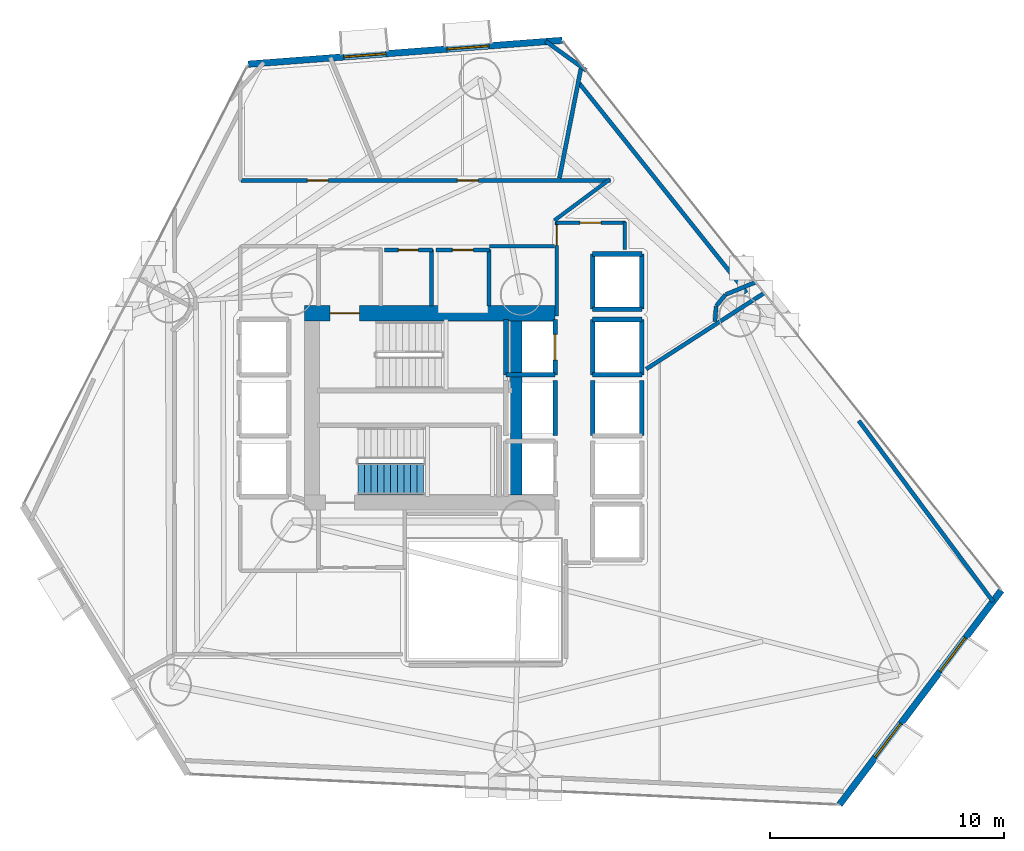
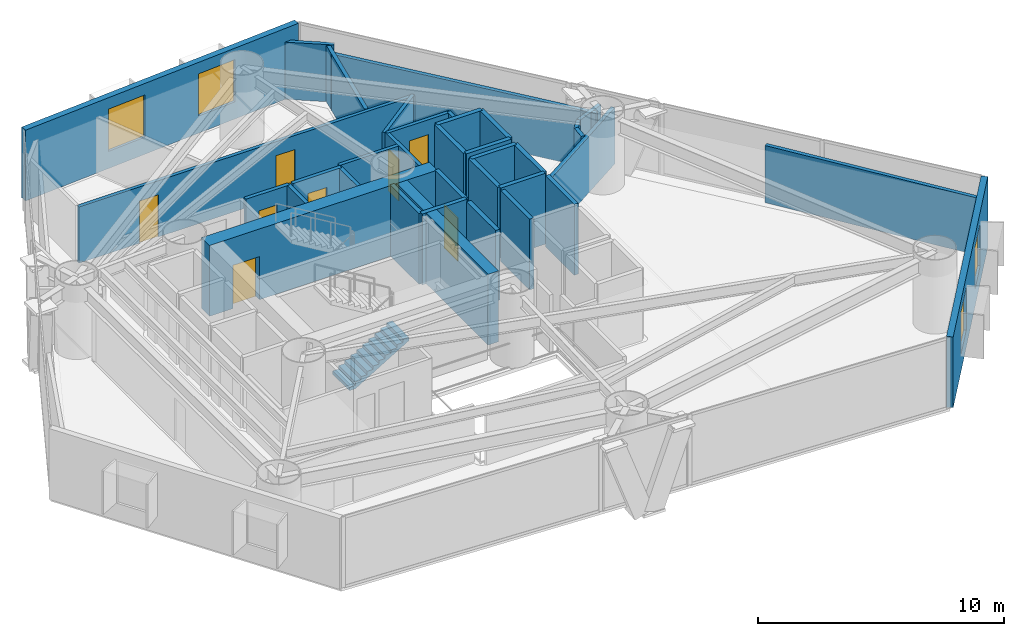
# One storey, part 18 of 23: 36 walls, 8 doors, 4 windows, 1 stair flight, 12 openings, 1 element without a shape of its own.
"""IFC4 building model written with IfcOpenShell, lengths in metres."""

from ifc_helpers import new_model, si_unit, direction, frame, frame_2d, origin, place, context, subcontext, project, spatial, polyline, rectangle, outline, extrude, material, layer, layer_set, type_object, element, fill, aggregate, save


model = new_model("IFC4")

# Units and contexts
model_context = context("Model", 3, precision=1e-05, world=origin(), true_north=direction((0.0, 1.0)))
body_context = subcontext(model_context, "Body", "Model", "MODEL_VIEW")
ifc_project = project(units=[si_unit("LENGTHUNIT", "METRE"), si_unit("AREAUNIT", "SQUARE_METRE"), si_unit("VOLUMEUNIT", "CUBIC_METRE"), si_unit("PLANEANGLEUNIT", "RADIAN"), si_unit("MASSUNIT", "GRAM", prefix="KILO")], contexts=[model_context])

# Site, building, storey
site_placement = place(None, origin())
site = spatial("IfcSite", under=ifc_project, at=site_placement, CompositionType="ELEMENT")
building_placement = place(site_placement, origin())
building = spatial("IfcBuilding", under=site, at=building_placement, Name="Qianvela Tower", CompositionType="ELEMENT")
storey_placement = place(building_placement, frame((0.0, 0.0, 33.10009765625)))
storey = spatial("IfcBuildingStorey", under=building, at=storey_placement, Name="L07", CompositionType="ELEMENT", Elevation=33.10009765625)

# Wall, openings, windows
ifc_material_1 = material(Name="Terracotta Cladding on Concrete C40", Category="masonry")
ifc_layer_1 = layer(ifc_material_1, 0.280029296875)
ifc_layer_set_1 = layer_set([ifc_layer_1], Name="Terracotta Cladding on Concrete C40")
wall_type_1 = type_object("IfcWallType", Name="TERRACOTTA-WALL-280", PredefinedType="SOLIDWALL", material=ifc_layer_set_1)
wall_1_placement = place(storey_placement, frame((51.999267578125, 11.74658203125, 0.0), z_axis=(0.0, 0.0, 1.0), x_axis=(0.602698586695, 0.797968930219, 0.0)))
wall_1 = element("IfcWall", 1, at=wall_1_placement, inside=storey, type_object=wall_type_1, Name="L07 Terracotta Chamfer Facet Wall 1", PredefinedType="SOLIDWALL", context=body_context, shape_type="SweptSolid", body=[
    extrude(rectangle(XDim=11.478759765625, YDim=0.280029296875, at=frame_2d((5.7392578125, 0.0))), origin(), (0.0, 0.0, 1.0), 3.52001953125),
])
opening_1_placement = place(wall_1_placement, frame((2.543701171875, 0.0, 0.85009765625)))
opening_1 = element("IfcOpeningElement", 2, at=opening_1_placement, cuts=wall_1, Name="Opening W-01", PredefinedType="OPENING", context=body_context, shape_type="SweptSolid", body=[
    extrude(rectangle(XDim=1.800048828125, YDim=2.10009765625, at=frame_2d((0.89990234375, 1.050048828125))), frame((0.0, 0.14990234375, 0.0), z_axis=(0.0, -1.0, 0.0), x_axis=(1.0, 0.0, 0.0)), (0.0, 0.0, 1.0), 0.300048828125),
])
opening_2_placement = place(wall_1_placement, frame((7.13525390625, 0.0, 0.85009765625)))
opening_2 = element("IfcOpeningElement", 3, at=opening_2_placement, cuts=wall_1, Name="Opening W-01", PredefinedType="OPENING", context=body_context, shape_type="SweptSolid", body=[
    extrude(rectangle(XDim=1.800048828125, YDim=2.10009765625, at=frame_2d((0.89990234375, 1.050048828125))), frame((0.0, 0.14990234375, 0.0), z_axis=(0.0, -1.0, 0.0), x_axis=(1.0, 0.0, 0.0)), (0.0, 0.0, 1.0), 0.300048828125),
])
ifc_material_2 = material(Name="Thermally Broken Aluminium and Low-E Glass", Category="aluminium")
window_type = type_object("IfcWindowType", Name="WIN-TC-1800x2100", PartitioningType="DOUBLE_PANEL_VERTICAL", PredefinedType="WINDOW", material=ifc_material_2)
window_1_placement = place(opening_1_placement, origin())
window_1 = element("IfcWindow", 4, at=window_1_placement, inside=storey, type_object=window_type, Name="L07 Chamfer Facet Window 1.1", OverallHeight=2.10009765625, OverallWidth=1.800048828125, PartitioningType="SINGLE_PANEL", PredefinedType="WINDOW", context=body_context, shape_type="SweptSolid", body=[
    extrude(rectangle(XDim=1.800048828125, YDim=2.10009765625, at=frame_2d((0.89990234375, 1.050048828125))), frame((0.0, 0.030029296875, 0.0), z_axis=(0.0, -1.0, 0.0), x_axis=(1.0, 0.0, 0.0)), (0.0, 0.0, 1.0), 0.06005859375),
])
fill(opening_1, window_1)
window_2_placement = place(opening_2_placement, origin())
window_2 = element("IfcWindow", 5, at=window_2_placement, inside=storey, type_object=window_type, Name="L07 Chamfer Facet Window 1.2", OverallHeight=2.10009765625, OverallWidth=1.800048828125, PartitioningType="SINGLE_PANEL", PredefinedType="WINDOW", context=body_context, shape_type="SweptSolid", body=[
    extrude(rectangle(XDim=1.800048828125, YDim=2.10009765625, at=frame_2d((0.89990234375, 1.050048828125))), frame((0.0, 0.030029296875, 0.0), z_axis=(0.0, -1.0, 0.0), x_axis=(1.0, 0.0, 0.0)), (0.0, 0.0, 1.0), 0.06005859375),
])
fill(opening_2, window_2)

wall_2_placement = place(storey_placement, frame((40.1474609375, 44.4130859375, 0.0), z_axis=(0.0, 0.0, 1.0), x_axis=(-0.997124396063, -0.07578217981, 0.0)))
wall_2 = element("IfcWall", 6, at=wall_2_placement, inside=storey, type_object=wall_type_1, Name="L07 Terracotta Chamfer Facet Wall 3", PredefinedType="SOLIDWALL", context=body_context, shape_type="SweptSolid", body=[
    extrude(rectangle(XDim=13.45654296875, YDim=0.280029296875, at=frame_2d((6.728271484375, 0.0))), origin(), (0.0, 0.0, 1.0), 3.52001953125),
])
opening_3_placement = place(wall_2_placement, frame((3.136962890625, 0.0, 0.85009765625)))
opening_3 = element("IfcOpeningElement", 7, at=opening_3_placement, cuts=wall_2, Name="Opening W-01", PredefinedType="OPENING", context=body_context, shape_type="SweptSolid", body=[
    extrude(rectangle(XDim=1.800048828125, YDim=2.10009765625, at=frame_2d((0.89990234375, 1.050048828125))), frame((0.0, 0.14990234375, 0.0), z_axis=(0.0, -1.0, 0.0), x_axis=(1.0, 0.0, 0.0)), (0.0, 0.0, 1.0), 0.300048828125),
])
opening_4_placement = place(wall_2_placement, frame((7.559814453125, 0.0, 0.85009765625)))
opening_4 = element("IfcOpeningElement", 8, at=opening_4_placement, cuts=wall_2, Name="Opening W-01", PredefinedType="OPENING", context=body_context, shape_type="SweptSolid", body=[
    extrude(rectangle(XDim=1.800048828125, YDim=2.10009765625, at=frame_2d((0.89990234375, 1.050048828125))), frame((0.0, 0.14990234375, 0.0), z_axis=(0.0, -1.0, 0.0), x_axis=(1.0, 0.0, 0.0)), (0.0, 0.0, 1.0), 0.300048828125),
])
window_3_placement = place(opening_3_placement, origin())
window_3 = element("IfcWindow", 9, at=window_3_placement, inside=storey, type_object=window_type, Name="L07 Chamfer Facet Window 3.1", OverallHeight=2.10009765625, OverallWidth=1.800048828125, PartitioningType="SINGLE_PANEL", PredefinedType="WINDOW", context=body_context, shape_type="SweptSolid", body=[
    extrude(rectangle(XDim=1.800048828125, YDim=2.10009765625, at=frame_2d((0.89990234375, 1.050048828125))), frame((0.0, 0.030029296875, 0.0), z_axis=(0.0, -1.0, 0.0), x_axis=(1.0, 0.0, 0.0)), (0.0, 0.0, 1.0), 0.06005859375),
])
fill(opening_3, window_3)
window_4_placement = place(opening_4_placement, origin())
window_4 = element("IfcWindow", 10, at=window_4_placement, inside=storey, type_object=window_type, Name="L07 Chamfer Facet Window 3.2", OverallHeight=2.10009765625, OverallWidth=1.800048828125, PartitioningType="SINGLE_PANEL", PredefinedType="WINDOW", context=body_context, shape_type="SweptSolid", body=[
    extrude(rectangle(XDim=1.800048828125, YDim=2.10009765625, at=frame_2d((0.89990234375, 1.050048828125))), frame((0.0, 0.030029296875, 0.0), z_axis=(0.0, -1.0, 0.0), x_axis=(1.0, 0.0, 0.0)), (0.0, 0.0, 1.0), 0.06005859375),
])
fill(opening_4, window_4)

# Wall, opening, door
ifc_material_3 = material(Name="Concrete C60", Category="concrete")
ifc_layer_2 = layer(ifc_material_3, 0.64990234375)
ifc_layer_set_2 = layer_set([ifc_layer_2], Name="Concrete C60")
wall_type_2 = type_object("IfcWallType", Name="WT-CORE-650", PredefinedType="SHEAR", material=ifc_layer_set_2)
wall_3_placement = place(storey_placement, frame((29.1298828125, 32.7451171875, 0.0), z_axis=(0.0, 0.0, 1.0), x_axis=(1.0, 0.0, 0.0)))
wall_3 = element("IfcWall", 11, at=wall_3_placement, inside=storey, type_object=wall_type_2, Name="L07 North Core Shear Wall", PredefinedType="SHEAR", context=body_context, shape_type="SweptSolid", body=[
    extrude(rectangle(XDim=10.72021484375, YDim=0.64990234375, at=frame_2d((5.360107421875, 0.0))), origin(), (0.0, 0.0, 1.0), 3.52001953125),
])
opening_5_placement = place(wall_3_placement, frame((1.094970703125, 0.0, 0.0)))
opening_5 = element("IfcOpeningElement", 12, at=opening_5_placement, cuts=wall_3, Name="Opening D-ST1", PredefinedType="OPENING", context=body_context, shape_type="SweptSolid", body=[
    extrude(rectangle(XDim=1.25, YDim=2.14990234375, at=frame_2d((0.625, 1.074951171875))), frame((0.0, 0.3349609375, 0.0), z_axis=(0.0, -1.0, 0.0), x_axis=(1.0, 0.0, 0.0)), (0.0, 0.0, 1.0), 0.669921875),
])
ifc_material_4 = material(Name="Galvanised Fire Steel Q355B", Category="steel")
door_type_1 = type_object("IfcDoorType", Name="DT-STAIR-FD90", OperationType="NOTDEFINED", PredefinedType="DOOR", material=ifc_material_4)
door_1_placement = place(opening_5_placement, origin())
door_1 = element("IfcDoor", 13, at=door_1_placement, inside=storey, type_object=door_type_1, Name="L07 Stair ST-1 Exit Door", OperationType="SINGLE_SWING_RIGHT", OverallHeight=2.14990234375, OverallWidth=1.25, PredefinedType="DOOR", context=body_context, shape_type="SweptSolid", body=[
    extrude(rectangle(XDim=1.25, YDim=2.14990234375, at=frame_2d((0.625, 1.074951171875))), frame((0.0, 0.02490234375, 0.0), z_axis=(0.0, -1.0, 0.0), x_axis=(1.0, 0.0, 0.0)), (0.0, 0.0, 1.0), 0.050048828125),
])
fill(opening_5, door_1)

# Wall
wall_4_placement = place(storey_placement, frame((38.179931640625, 24.97998046875, 0.0), z_axis=(0.0, 0.0, 1.0), x_axis=(0.0, 1.0, 0.0)))
element("IfcWall", 14, at=wall_4_placement, inside=storey, type_object=wall_type_2, Name="L07 East Spine Core Shear Wall", PredefinedType="SHEAR", context=body_context, shape_type="SweptSolid", body=[
    extrude(rectangle(XDim=7.43994140625, YDim=0.5, at=frame_2d((3.719970703125, 0.0))), origin(), (0.0, 0.0, 1.0), 3.52001953125),
])

# Wall, opening, door
ifc_material_5 = material(Name="Fire-Rated Gypsum and Concrete Block", Category="concrete")
ifc_layer_3 = layer(ifc_material_5, 0.159912109375)
ifc_layer_set_3 = layer_set([ifc_layer_3], Name="Fire-Rated Gypsum and Concrete Block")
wall_type_3 = type_object("IfcWallType", Name="WT-CORR-160", PredefinedType="PARTITIONING", material=ifc_layer_set_3)
wall_5_placement = place(storey_placement, frame((39.910888671875, 32.639892578125, 0.0), z_axis=(0.0, 0.0, 1.0), x_axis=(0.0, 1.0, 0.0)))
wall_5 = element("IfcWall", 15, at=wall_5_placement, inside=storey, type_object=wall_type_3, Name="L07 Partition 10", PredefinedType="PARTITIONING", context=body_context, shape_type="SweptSolid", body=[
    extrude(rectangle(XDim=4.010009765625, YDim=0.159912109375, at=frame_2d((2.0048828125, 0.0))), origin(), (0.0, 0.0, 1.0), 2.83984375),
])
opening_6_placement = place(wall_5_placement, frame((3.010009765625, 0.0, 0.0)))
opening_6 = element("IfcOpeningElement", 16, at=opening_6_placement, cuts=wall_5, Name="Opening D-LB2", PredefinedType="OPENING", context=body_context, shape_type="SweptSolid", body=[
    extrude(rectangle(XDim=0.860107421875, YDim=2.050048828125, at=frame_2d((0.43017578125, 1.02490234375))), frame((0.0, 0.08984375, 0.0), z_axis=(0.0, -1.0, 0.0), x_axis=(1.0, 0.0, 0.0)), (0.0, 0.0, 1.0), 0.179931640625),
])
ifc_material_6 = material(Name="Insulated Steel Fire Door Q355B", Category="steel")
door_type_2 = type_object("IfcDoorType", Name="DT-LOBBY-FD90-860", OperationType="NOTDEFINED", PredefinedType="DOOR", material=ifc_material_6)
door_2_placement = place(opening_6_placement, origin())
door_2 = element("IfcDoor", 17, at=door_2_placement, inside=storey, type_object=door_type_2, Name="L07 Door L07 Lift Lobby to L07 Floor Corridor", OperationType="SINGLE_SWING_RIGHT", OverallHeight=2.050048828125, OverallWidth=0.860107421875, PredefinedType="DOOR", context=body_context, shape_type="SweptSolid", body=[
    extrude(rectangle(XDim=0.860107421875, YDim=2.050048828125, at=frame_2d((0.43017578125, 1.02490234375))), frame((0.0, 0.02490234375, 0.0), z_axis=(0.0, -1.0, 0.0), x_axis=(1.0, 0.0, 0.0)), (0.0, 0.0, 1.0), 0.050048828125),
])
fill(opening_6, door_2)

wall_6_placement = place(storey_placement, frame((39.8798828125, 36.618896484375, 0.0), z_axis=(0.0, 0.0, 1.0), x_axis=(1.0, 0.0, 0.0)))
wall_6 = element("IfcWall", 18, at=wall_6_placement, inside=storey, type_object=wall_type_3, Name="L07 Partition 11", PredefinedType="PARTITIONING", context=body_context, shape_type="SweptSolid", body=[
    extrude(rectangle(XDim=2.97021484375, YDim=0.159912109375, at=frame_2d((1.485107421875, 0.0))), origin(), (0.0, 0.0, 1.0), 2.83984375),
])
opening_7_placement = place(wall_6_placement, frame((1.034912109375, 0.0, 0.0)))
opening_7 = element("IfcOpeningElement", 19, at=opening_7_placement, cuts=wall_6, Name="Opening D-KT1", PredefinedType="OPENING", context=body_context, shape_type="SweptSolid", body=[
    extrude(rectangle(XDim=0.89990234375, YDim=2.10009765625, at=frame_2d((0.449951171875, 1.050048828125))), frame((0.0, 0.08984375, 0.0), z_axis=(0.0, -1.0, 0.0), x_axis=(1.0, 0.0, 0.0)), (0.0, 0.0, 1.0), 0.179931640625),
])
ifc_material_7 = material(Name="Glazed Timber Kitchen Door", Category="wood")
door_type_3 = type_object("IfcDoorType", Name="DT-KITCH-900", OperationType="NOTDEFINED", PredefinedType="DOOR", material=ifc_material_7)
door_3_placement = place(opening_7_placement, origin())
door_3 = element("IfcDoor", 20, at=door_3_placement, inside=storey, type_object=door_type_3, Name="L07 Door Floor Dining Kitchen L07-03 to L07 Lift Lobby", OperationType="SINGLE_SWING_RIGHT", OverallHeight=2.10009765625, OverallWidth=0.89990234375, PredefinedType="DOOR", context=body_context, shape_type="SweptSolid", body=[
    extrude(rectangle(XDim=0.89990234375, YDim=2.10009765625, at=frame_2d((0.449951171875, 1.050048828125))), frame((0.0, 0.02490234375, 0.0), z_axis=(0.0, -1.0, 0.0), x_axis=(1.0, 0.0, 0.0)), (0.0, 0.0, 1.0), 0.050048828125),
])
fill(opening_7, door_3)

# Wall
wall_7_placement = place(storey_placement, frame((42.819091796875, 36.64990234375, 0.0), z_axis=(0.0, 0.0, 1.0), x_axis=(0.0, -1.0, 0.0)))
element("IfcWall", 21, at=wall_7_placement, inside=storey, type_object=wall_type_3, Name="L07 Partition 12", PredefinedType="PARTITIONING", context=body_context, shape_type="SweptSolid", body=[
    extrude(rectangle(XDim=1.169921875, YDim=0.159912109375, at=frame_2d((0.5849609375, 0.0))), origin(), (0.0, 0.0, 1.0), 2.83984375),
])

# Wall, openings, doors
wall_8_placement = place(storey_placement, frame((26.419921875, 38.4189453125, 0.0), z_axis=(0.0, 0.0, 1.0), x_axis=(1.0, 0.0, 0.0)))
wall_8 = element("IfcWall", 22, at=wall_8_placement, inside=storey, type_object=wall_type_3, Name="L07 Partition 43", PredefinedType="PARTITIONING", context=body_context, shape_type="SweptSolid", body=[
    extrude(rectangle(XDim=15.783203125, YDim=0.159912109375, at=frame_2d((7.8916015625, 0.0))), origin(), (0.0, 0.0, 1.0), 2.7978515625),
])
opening_8_placement = place(wall_8_placement, frame((9.246337890625, 0.0, 0.0)))
opening_8 = element("IfcOpeningElement", 23, at=opening_8_placement, cuts=wall_8, Name="Opening D-KT1", PredefinedType="OPENING", context=body_context, shape_type="SweptSolid", body=[
    extrude(rectangle(XDim=0.89990234375, YDim=2.10009765625, at=frame_2d((0.449951171875, 1.050048828125))), frame((0.0, 0.08984375, 0.0), z_axis=(0.0, -1.0, 0.0), x_axis=(1.0, 0.0, 0.0)), (0.0, 0.0, 1.0), 0.179931640625),
])
opening_9_placement = place(wall_8_placement, frame((2.835693359375, 0.0, 0.0)))
opening_9 = element("IfcOpeningElement", 24, at=opening_9_placement, cuts=wall_8, Name="Opening D-KT1", PredefinedType="OPENING", context=body_context, shape_type="SweptSolid", body=[
    extrude(rectangle(XDim=0.89990234375, YDim=2.10009765625, at=frame_2d((0.449951171875, 1.050048828125))), frame((0.0, 0.08984375, 0.0), z_axis=(0.0, -1.0, 0.0), x_axis=(1.0, 0.0, 0.0)), (0.0, 0.0, 1.0), 0.179931640625),
])
door_4_placement = place(opening_8_placement, origin())
door_4 = element("IfcDoor", 25, at=door_4_placement, inside=storey, type_object=door_type_3, Name="L07 Door Social Galley Kitchen L07-04 to L07 Floor Corridor", OperationType="SINGLE_SWING_LEFT", OverallHeight=2.10009765625, OverallWidth=0.89990234375, PredefinedType="DOOR", context=body_context, shape_type="SweptSolid", body=[
    extrude(rectangle(XDim=0.89990234375, YDim=2.10009765625, at=frame_2d((0.449951171875, 1.050048828125))), frame((0.0, 0.02490234375, 0.0), z_axis=(0.0, -1.0, 0.0), x_axis=(1.0, 0.0, 0.0)), (0.0, 0.0, 1.0), 0.050048828125),
])
fill(opening_8, door_4)
door_5_placement = place(opening_9_placement, origin())
door_5 = element("IfcDoor", 26, at=door_5_placement, inside=storey, type_object=door_type_3, Name="L07 Door Shared Communal Kitchen L07-05 to L07 Floor Corridor", OperationType="SINGLE_SWING_RIGHT", OverallHeight=2.10009765625, OverallWidth=0.89990234375, PredefinedType="DOOR", context=body_context, shape_type="SweptSolid", body=[
    extrude(rectangle(XDim=0.89990234375, YDim=2.10009765625, at=frame_2d((0.449951171875, 1.050048828125))), frame((0.0, 0.02490234375, 0.0), z_axis=(0.0, -1.0, 0.0), x_axis=(1.0, 0.0, 0.0)), (0.0, 0.0, 1.0), 0.050048828125),
])
fill(opening_9, door_5)

# Walls
wall_9_placement = place(storey_placement, frame((42.1845703125, 38.474853515625, 0.0), z_axis=(0.0, 0.0, 1.0), x_axis=(-0.802818467394, -0.596223538961, 0.0)))
element("IfcWall", 27, at=wall_9_placement, inside=storey, type_object=wall_type_3, Name="L07 Partition 44", PredefinedType="PARTITIONING", context=body_context, shape_type="SweptSolid", body=[
    extrude(rectangle(XDim=2.953125, YDim=0.159912109375, at=frame_2d((1.4765625, 0.0))), origin(), (0.0, 0.0, 1.0), 2.7978515625),
])
wall_10_placement = place(storey_placement, frame((39.818115234375, 35.611083984375, 0.0), z_axis=(0.0, 0.0, 1.0), x_axis=(-1.0, 0.0, 0.0)))
element("IfcWall", 28, at=wall_10_placement, inside=storey, type_object=wall_type_3, Name="L07 Partition 46 seg 1", PredefinedType="PARTITIONING", context=body_context, shape_type="SweptSolid", body=[
    extrude(rectangle(XDim=2.76806640625, YDim=0.159912109375, at=frame_2d((1.384033203125, 0.0))), origin(), (0.0, 0.0, 1.0), 2.83984375),
])

# Wall, opening, door
ifc_material_8 = material(Name="Moisture-Resistant Acoustic Plumbing Wall")
ifc_layer_4 = layer(ifc_material_8, 0.175048828125)
ifc_layer_set_4 = layer_set([ifc_layer_4], Name="Moisture-Resistant Acoustic Plumbing Wall")
wall_type_4 = type_object("IfcWallType", Name="WT-PLUMB-175", PredefinedType="PLUMBINGWALL", material=ifc_layer_set_4)
wall_11_placement = place(storey_placement, frame((32.550048828125, 35.448974609375, 0.0), z_axis=(0.0, 0.0, 1.0), x_axis=(1.0, 0.0, 0.0)))
wall_11 = element("IfcWall", 29, at=wall_11_placement, inside=storey, type_object=wall_type_4, Name="L07 Partition 20", PredefinedType="PLUMBINGWALL", context=body_context, shape_type="SweptSolid", body=[
    extrude(rectangle(XDim=2.050048828125, YDim=0.175048828125, at=frame_2d((1.02490234375, 0.0))), origin(), (0.0, 0.0, 1.0), 2.83984375),
])
opening_10_placement = place(wall_11_placement, frame((0.594970703125, 0.0, 0.0)))
opening_10 = element("IfcOpeningElement", 30, at=opening_10_placement, cuts=wall_11, Name="Opening D-WC1", PredefinedType="OPENING", context=body_context, shape_type="SweptSolid", body=[
    extrude(rectangle(XDim=0.860107421875, YDim=2.050048828125, at=frame_2d((0.43017578125, 1.02490234375))), frame((0.0, 0.097412109375, 0.0), z_axis=(0.0, -1.0, 0.0), x_axis=(1.0, 0.0, 0.0)), (0.0, 0.0, 1.0), 0.195068359375),
])
ifc_material_9 = material(Name="Moisture-Sealed Acoustic Timber Door", Category="wood")
door_type_4 = type_object("IfcDoorType", Name="DT-WC-860", OperationType="NOTDEFINED", PredefinedType="DOOR", material=ifc_material_9)
door_6_placement = place(opening_10_placement, origin())
door_6 = element("IfcDoor", 31, at=door_6_placement, inside=storey, type_object=door_type_4, Name="L07 Door L07 Accessible WC to L07 Floor Corridor", OperationType="SINGLE_SWING_LEFT", OverallHeight=2.050048828125, OverallWidth=0.860107421875, PredefinedType="DOOR", context=body_context, shape_type="SweptSolid", body=[
    extrude(rectangle(XDim=0.860107421875, YDim=2.050048828125, at=frame_2d((0.43017578125, 1.02490234375))), frame((0.0, 0.02490234375, 0.0), z_axis=(0.0, -1.0, 0.0), x_axis=(1.0, 0.0, 0.0)), (0.0, 0.0, 1.0), 0.050048828125),
])
fill(opening_10, door_6)

# Wall
wall_12_placement = place(storey_placement, frame((34.569091796875, 35.47998046875, 0.0), z_axis=(0.0, 0.0, 1.0), x_axis=(0.0, -1.0, 0.0)))
element("IfcWall", 32, at=wall_12_placement, inside=storey, type_object=wall_type_4, Name="L07 Partition 21", PredefinedType="PLUMBINGWALL", context=body_context, shape_type="SweptSolid", body=[
    extrude(rectangle(XDim=2.421875, YDim=0.175048828125, at=frame_2d((1.2109375, 0.0))), origin(), (0.0, 0.0, 1.0), 2.83984375),
])

# Wall, opening, door
wall_13_placement = place(storey_placement, frame((34.75, 35.448974609375, 0.0), z_axis=(0.0, 0.0, 1.0), x_axis=(1.0, 0.0, 0.0)))
wall_13 = element("IfcWall", 33, at=wall_13_placement, inside=storey, type_object=wall_type_4, Name="L07 Partition 24", PredefinedType="PLUMBINGWALL", context=body_context, shape_type="SweptSolid", body=[
    extrude(rectangle(XDim=2.300048828125, YDim=0.175048828125, at=frame_2d((1.14990234375, 0.0))), origin(), (0.0, 0.0, 1.0), 2.83984375),
])
opening_11_placement = place(wall_13_placement, frame((0.699951171875, 0.0, 0.0)))
opening_11 = element("IfcOpeningElement", 34, at=opening_11_placement, cuts=wall_13, Name="Opening D-KT1", PredefinedType="OPENING", context=body_context, shape_type="SweptSolid", body=[
    extrude(rectangle(XDim=0.89990234375, YDim=2.10009765625, at=frame_2d((0.449951171875, 1.050048828125))), frame((0.0, 0.097412109375, 0.0), z_axis=(0.0, -1.0, 0.0), x_axis=(1.0, 0.0, 0.0)), (0.0, 0.0, 1.0), 0.195068359375),
])
door_7_placement = place(opening_11_placement, origin())
door_7 = element("IfcDoor", 35, at=door_7_placement, inside=storey, type_object=door_type_3, Name="L07 Door L07 Core Tea Pantry to L07 Floor Corridor", OperationType="SINGLE_SWING_RIGHT", OverallHeight=2.10009765625, OverallWidth=0.89990234375, PredefinedType="DOOR", context=body_context, shape_type="SweptSolid", body=[
    extrude(rectangle(XDim=0.89990234375, YDim=2.10009765625, at=frame_2d((0.449951171875, 1.050048828125))), frame((0.0, 0.02490234375, 0.0), z_axis=(0.0, -1.0, 0.0), x_axis=(1.0, 0.0, 0.0)), (0.0, 0.0, 1.0), 0.050048828125),
])
fill(opening_11, door_7)

# Walls
wall_14_placement = place(storey_placement, frame((37.01904296875, 35.47998046875, 0.0), z_axis=(0.0, 0.0, 1.0), x_axis=(0.0, -1.0, 0.0)))
element("IfcWall", 36, at=wall_14_placement, inside=storey, type_object=wall_type_4, Name="L07 Partition 25", PredefinedType="PLUMBINGWALL", context=body_context, shape_type="SweptSolid", body=[
    extrude(rectangle(XDim=2.421875, YDim=0.175048828125, at=frame_2d((1.2109375, 0.0))), origin(), (0.0, 0.0, 1.0), 2.83984375),
])
wall_15_placement = place(storey_placement, frame((43.73681640625, 30.3623046875, 0.0), z_axis=(0.0, 0.0, 1.0), x_axis=(0.840502421902, 0.541807787667, 0.0)))
element("IfcWall", 37, at=wall_15_placement, inside=storey, type_object=wall_type_4, Name="L07 Partition 70", PredefinedType="PLUMBINGWALL", context=body_context, shape_type="SweptSolid", body=[
    extrude(rectangle(XDim=6.013427734375, YDim=0.175048828125, at=frame_2d((3.0068359375, 0.0))), origin(), (0.0, 0.0, 1.0), 2.7978515625),
])
wall_16_placement = place(storey_placement, frame((52.824951171875, 28.151611328125, 0.0), z_axis=(0.0, 0.0, 1.0), x_axis=(0.596345458278, -0.802727908068, 0.0)))
element("IfcWall", 38, at=wall_16_placement, inside=storey, type_object=wall_type_4, Name="L07 Partition 71 seg 2", PredefinedType="PLUMBINGWALL", context=body_context, shape_type="SweptSolid", body=[
    extrude(rectangle(XDim=9.63623046875, YDim=0.175048828125, at=frame_2d((4.818115234375, 0.0))), origin(), (0.0, 0.0, 1.0), 2.83984375),
])
wall_17_placement = place(storey_placement, frame((40.030517578125, 38.52392578125, 0.0), z_axis=(0.0, 0.0, 1.0), x_axis=(0.192440494931, 0.981308644571, 0.0)))
element("IfcWall", 39, at=wall_17_placement, inside=storey, type_object=wall_type_4, Name="L07 Partition 83", PredefinedType="PLUMBINGWALL", context=body_context, shape_type="SweptSolid", body=[
    extrude(rectangle(XDim=4.9580078125, YDim=0.175048828125, at=frame_2d((2.47900390625, 0.0))), origin(), (0.0, 0.0, 1.0), 2.7978515625),
])
wall_18_placement = place(storey_placement, frame((40.793701171875, 42.6806640625, 0.0), z_axis=(0.0, 0.0, 1.0), x_axis=(0.623977950445, -0.781441947529, 0.0)))
element("IfcWall", 40, at=wall_18_placement, inside=storey, type_object=wall_type_4, Name="L07 Partition 84", PredefinedType="PLUMBINGWALL", context=body_context, shape_type="SweptSolid", body=[
    extrude(rectangle(XDim=11.588134765625, YDim=0.175048828125, at=frame_2d((5.7939453125, 0.0))), origin(), (0.0, 0.0, 1.0), 2.7978515625),
])
wall_19_placement = place(storey_placement, frame((48.422607421875, 34.080322265625, 0.0), z_axis=(0.0, 0.0, 1.0), x_axis=(-0.923888707417, -0.382661281433, 0.0)))
element("IfcWall", 41, at=wall_19_placement, inside=storey, type_object=wall_type_4, Name="L07 Partition 86", PredefinedType="PLUMBINGWALL", context=body_context, shape_type="SweptSolid", body=[
    extrude(rectangle(XDim=1.393310546875, YDim=0.175048828125, at=frame_2d((0.69677734375, 0.0))), origin(), (0.0, 0.0, 1.0), 2.7978515625),
])
wall_20_placement = place(storey_placement, frame((47.123046875, 33.5380859375, 0.0), z_axis=(0.0, 0.0, 1.0), x_axis=(-0.634274060347, -0.773108282436, 0.0)))
element("IfcWall", 42, at=wall_20_placement, inside=storey, type_object=wall_type_4, Name="L07 Partition 87", PredefinedType="PLUMBINGWALL", context=body_context, shape_type="SweptSolid", body=[
    extrude(rectangle(XDim=0.615478515625, YDim=0.175048828125, at=frame_2d((0.3076171875, 0.0))), origin(), (0.0, 0.0, 1.0), 2.7978515625),
])
wall_21_placement = place(storey_placement, frame((46.725830078125, 33.044921875, 0.0), z_axis=(0.0, 0.0, 1.0), x_axis=(-0.072993708231, -0.997332401238, 0.0)))
element("IfcWall", 43, at=wall_21_placement, inside=storey, type_object=wall_type_4, Name="L07 Partition 88", PredefinedType="PLUMBINGWALL", context=body_context, shape_type="SweptSolid", body=[
    extrude(rectangle(XDim=0.655517578125, YDim=0.175048828125, at=frame_2d((0.32763671875, 0.0))), origin(), (0.0, 0.0, 1.0), 2.83984375),
])
wall_22_placement = place(storey_placement, frame((39.440185546875, 44.3759765625, 0.0), z_axis=(0.0, 0.0, 1.0), x_axis=(0.81138921051, -0.584506243822, 0.0)))
element("IfcWall", 44, at=wall_22_placement, inside=storey, type_object=wall_type_4, Name="L07 Partition 92", PredefinedType="PLUMBINGWALL", context=body_context, shape_type="SweptSolid", body=[
    extrude(rectangle(XDim=2.13818359375, YDim=0.175048828125, at=frame_2d((1.069091796875, 0.0))), origin(), (0.0, 0.0, 1.0), 2.83984375),
])

# Wall, opening, door
ifc_material_10 = material(Name="Concrete C50", Category="concrete")
ifc_layer_5 = layer(ifc_material_10, 0.199951171875)
ifc_layer_set_5 = layer_set([ifc_layer_5], Name="Concrete C50")
wall_type_5 = type_object("IfcWallType", Name="WT-SHAFT-200", PredefinedType="SOLIDWALL", material=ifc_layer_set_5)
wall_23_placement = place(storey_placement, frame((39.85009765625, 30.1201171875, 0.0), z_axis=(0.0, 0.0, 1.0), x_axis=(0.0, 1.0, 0.0)))
wall_23 = element("IfcWall", 45, at=wall_23_placement, inside=storey, type_object=wall_type_5, Name="L07 Lift FL-1 E Shaft Wall", PredefinedType="SOLIDWALL", context=body_context, shape_type="SweptSolid", body=[
    extrude(rectangle(XDim=2.35986328125, YDim=0.199951171875, at=frame_2d((1.179931640625, 0.0))), origin(), (0.0, 0.0, 1.0), 3.52001953125),
])
opening_12_placement = place(wall_23_placement, frame((0.6298828125, 0.0, 0.0)))
opening_12 = element("IfcOpeningElement", 46, at=opening_12_placement, cuts=wall_23, Name="Opening LD-01", PredefinedType="OPENING", context=body_context, shape_type="SweptSolid", body=[
    extrude(rectangle(XDim=1.10009765625, YDim=2.14990234375, at=frame_2d((0.550048828125, 1.074951171875))), frame((0.0, 0.10986328125, 0.0), z_axis=(0.0, -1.0, 0.0), x_axis=(1.0, 0.0, 0.0)), (0.0, 0.0, 1.0), 0.219970703125),
])
ifc_material_11 = material(Name="Brushed Stainless Steel Lift Landing Door", Category="steel")
door_type_5 = type_object("IfcDoorType", Name="DT-LIFT-SLIDE-1100", OperationType="SLIDING_TO_LEFT", PredefinedType="DOOR", material=ifc_material_11)
door_8_placement = place(opening_12_placement, origin())
door_8 = element("IfcDoor", 47, at=door_8_placement, inside=storey, type_object=door_type_5, Name="L07 Lift FL-1 Sliding Landing Door", OperationType="SLIDING_TO_LEFT", OverallHeight=2.14990234375, OverallWidth=1.10009765625, PredefinedType="DOOR", context=body_context, shape_type="SweptSolid", body=[
    extrude(rectangle(XDim=1.10009765625, YDim=2.14990234375, at=frame_2d((0.550048828125, 1.074951171875))), frame((0.0, 0.02490234375, 0.0), z_axis=(0.0, -1.0, 0.0), x_axis=(1.0, 0.0, 0.0)), (0.0, 0.0, 1.0), 0.050048828125),
])
fill(opening_12, door_8)

# Walls
wall_24_placement = place(storey_placement, frame((37.75, 30.1201171875, 0.0), z_axis=(0.0, 0.0, 1.0), x_axis=(0.0, 1.0, 0.0)))
element("IfcWall", 48, at=wall_24_placement, inside=storey, type_object=wall_type_5, Name="L07 Lift FL-1 W Shaft Wall", PredefinedType="SOLIDWALL", context=body_context, shape_type="SweptSolid", body=[
    extrude(rectangle(XDim=2.35986328125, YDim=0.199951171875, at=frame_2d((1.179931640625, 0.0))), origin(), (0.0, 0.0, 1.0), 3.52001953125),
])
wall_25_placement = place(storey_placement, frame((37.75, 30.1201171875, 0.0), z_axis=(0.0, 0.0, 1.0), x_axis=(1.0, 0.0, 0.0)))
element("IfcWall", 49, at=wall_25_placement, inside=storey, type_object=wall_type_5, Name="L07 Lift FL-1 S Shaft Wall", PredefinedType="SOLIDWALL", context=body_context, shape_type="SweptSolid", body=[
    extrude(rectangle(XDim=2.10009765625, YDim=0.199951171875, at=frame_2d((1.050048828125, 0.0))), origin(), (0.0, 0.0, 1.0), 3.52001953125),
])
for number, where, z_axis, x_axis, name in (
    (50, (43.550048828125, 30.1201171875, 0.0), (0.0, 0.0, 1.0), (0.0, 1.0, 0.0), "L07 Lift PL-M1 E Shaft Wall"),
    (51, (41.449951171875, 30.1201171875, 0.0), (0.0, 0.0, 1.0), (0.0, 1.0, 0.0), "L07 Lift PL-M1 W Shaft Wall"),
):
    element("IfcWall", number, at=place(storey_placement, frame(where, z_axis=z_axis, x_axis=x_axis)), inside=storey, type_object=wall_type_5, Name=name, PredefinedType="SOLIDWALL", context=body_context, shape_type="SweptSolid", body=[
        extrude(rectangle(XDim=2.35986328125, YDim=0.199951171875, at=frame_2d((1.179931640625, 0.0))), origin(), (0.0, 0.0, 1.0), 3.52001953125),
    ])
for number, where, z_axis, x_axis, name in (
    (52, (41.449951171875, 32.47998046875, 0.0), (0.0, 0.0, 1.0), (1.0, 0.0, 0.0), "L07 Lift PL-M1 N Shaft Wall"),
    (53, (41.449951171875, 30.1201171875, 0.0), (0.0, 0.0, 1.0), (1.0, 0.0, 0.0), "L07 Lift PL-M1 S Shaft Wall"),
):
    element("IfcWall", number, at=place(storey_placement, frame(where, z_axis=z_axis, x_axis=x_axis)), inside=storey, type_object=wall_type_5, Name=name, PredefinedType="SOLIDWALL", context=body_context, shape_type="SweptSolid", body=[
        extrude(rectangle(XDim=2.10009765625, YDim=0.199951171875, at=frame_2d((1.050048828125, 0.0))), origin(), (0.0, 0.0, 1.0), 3.52001953125),
    ])
for number, where, z_axis, x_axis, name in (
    (54, (43.550048828125, 27.52001953125, 0.0), (0.0, 0.0, 1.0), (0.0, 1.0, 0.0), "L07 Lift PL-M2 E Shaft Wall"),
    (55, (41.449951171875, 27.52001953125, 0.0), (0.0, 0.0, 1.0), (0.0, 1.0, 0.0), "L07 Lift PL-M2 W Shaft Wall"),
    (56, (39.85009765625, 27.52001953125, 0.0), (0.0, 0.0, 1.0), (0.0, 1.0, 0.0), "L07 Lift PL-H1 E Shaft Wall"),
):
    element("IfcWall", number, at=place(storey_placement, frame(where, z_axis=z_axis, x_axis=x_axis)), inside=storey, type_object=wall_type_5, Name=name, PredefinedType="SOLIDWALL", context=body_context, shape_type="SweptSolid", body=[
        extrude(rectangle(XDim=2.35986328125, YDim=0.199951171875, at=frame_2d((1.179931640625, 0.0))), origin(), (0.0, 0.0, 1.0), 3.52001953125),
    ])
for number, where, z_axis, x_axis, name in (
    (57, (43.550048828125, 32.919921875, 0.0), (0.0, 0.0, 1.0), (0.0, 1.0, 0.0), "L07 Lift PL-H3 E Shaft Wall"),
    (58, (41.449951171875, 32.919921875, 0.0), (0.0, 0.0, 1.0), (0.0, 1.0, 0.0), "L07 Lift PL-H3 W Shaft Wall"),
):
    element("IfcWall", number, at=place(storey_placement, frame(where, z_axis=z_axis, x_axis=x_axis)), inside=storey, type_object=wall_type_5, Name=name, PredefinedType="SOLIDWALL", context=body_context, shape_type="SweptSolid", body=[
        extrude(rectangle(XDim=2.360107421875, YDim=0.199951171875, at=frame_2d((1.18017578125, 0.0))), origin(), (0.0, 0.0, 1.0), 3.52001953125),
    ])
for number, where, z_axis, x_axis, name in (
    (59, (41.449951171875, 35.280029296875, 0.0), (0.0, 0.0, 1.0), (1.0, 0.0, 0.0), "L07 Lift PL-H3 N Shaft Wall"),
    (60, (41.449951171875, 32.919921875, 0.0), (0.0, 0.0, 1.0), (1.0, 0.0, 0.0), "L07 Lift PL-H3 S Shaft Wall"),
):
    element("IfcWall", number, at=place(storey_placement, frame(where, z_axis=z_axis, x_axis=x_axis)), inside=storey, type_object=wall_type_5, Name=name, PredefinedType="SOLIDWALL", context=body_context, shape_type="SweptSolid", body=[
        extrude(rectangle(XDim=2.10009765625, YDim=0.199951171875, at=frame_2d((1.050048828125, 0.0))), origin(), (0.0, 0.0, 1.0), 3.52001953125),
    ])

# Stair, stair flight
ifc_material_12 = material(Name="Concrete C40", Category="concrete")
stair_type = type_object("IfcStairType", Name="ST-DOGLEG-1350-R168-N22", PredefinedType="HALF_TURN_STAIR", material=ifc_material_12)
stair_placement = place(storey_placement, origin())
stair = element("IfcStair", 61, at=stair_placement, inside=storey, type_object=stair_type, Name="L07 Smoke-Proof Core Stair ST-2", PredefinedType="HALF_TURN_STAIR")
ifc_material_13 = material(Name="Concrete C40", Category="concrete")
stair_flight_type = type_object("IfcStairFlightType", Name="STF-STRAIGHT-R168-P11", PredefinedType="STRAIGHT", material=ifc_material_13)
stair_flight_placement = place(storey_placement, frame((31.419921875, 25.675048828125, 0.0), z_axis=(0.0, 0.0, 1.0), x_axis=(1.0, 0.0, 0.0)))
stair_flight = element("IfcStairFlight", 62, at=stair_flight_placement, type_object=stair_flight_type, Name="ST-2 flight 1", NumberOfRisers=11, NumberOfTreads=10, PredefinedType="STRAIGHT", RiserHeight=0.168181818, TreadLength=0.28, context=body_context, shape_type="SweptSolid", body=[
    extrude(outline(polyline([(0.0, 0.0), (0.0, 0.168212890625), (0.280029296875, 0.168212890625), (0.280029296875, 0.33642578125), (0.56005859375, 0.33642578125), (0.56005859375, 0.504638671875), (0.840087890625, 0.504638671875), (0.840087890625, 0.672607421875), (1.1201171875, 0.672607421875), (1.1201171875, 0.8408203125), (1.39990234375, 0.8408203125), (1.39990234375, 1.009033203125), (1.679931640625, 1.009033203125), (1.679931640625, 1.17724609375), (1.9599609375, 1.17724609375), (1.9599609375, 1.345458984375), (2.239990234375, 1.345458984375), (2.239990234375, 1.513671875), (2.52001953125, 1.513671875), (2.52001953125, 1.681884765625), (2.800048828125, 1.681884765625), (2.800048828125, 1.85009765625), (2.800048828125, 1.5068359375), (0.291015625, 0.0), (0.0, 0.0)])), frame((0.0, 0.675048828125, 0.0), z_axis=(0.0, -1.0, 0.0), x_axis=(1.0, 0.0, 0.0)), (0.0, 0.0, 1.0), 1.35009765625),
])
aggregate(stair, [stair_flight])

save(model, "model.ifc")
